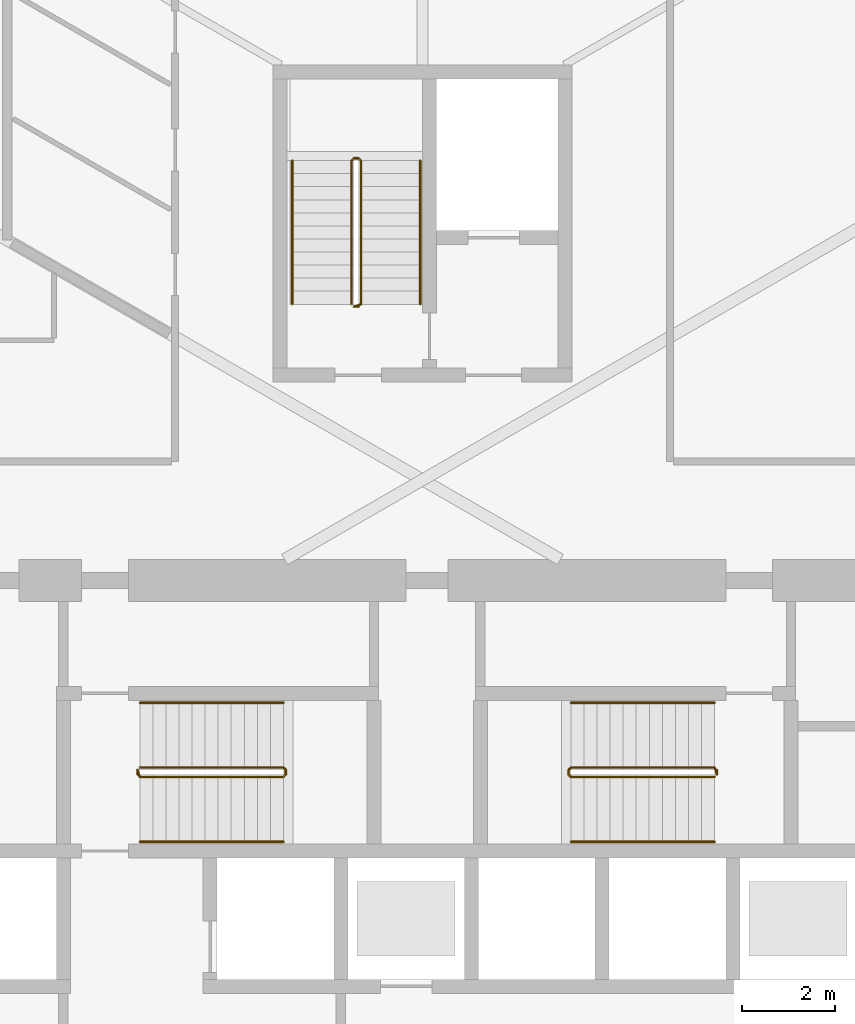
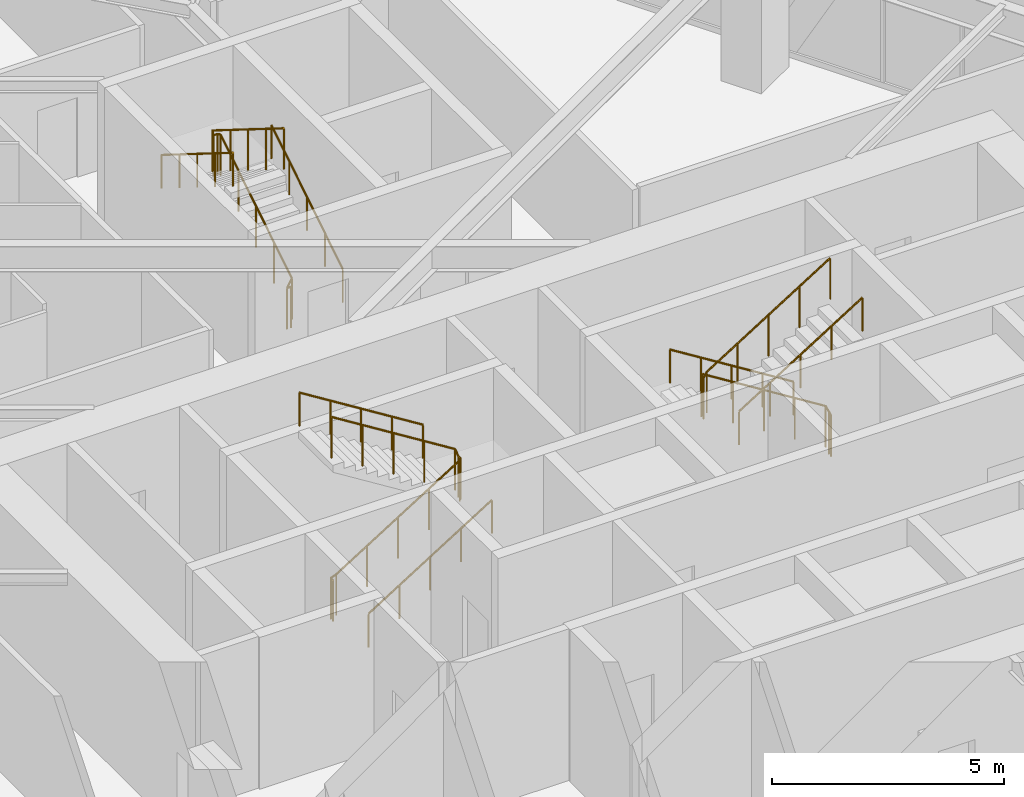
# One storey, part 18 of 19: 9 railings.
"""IFC4 building model written with IfcOpenShell, lengths in metres."""

from ifc_helpers import new_model, si_unit, direction, frame, origin, origin_2d, place, context, subcontext, project, spatial, circle, extrude, material, type_object, element, save


model = new_model("IFC4")

# Units and contexts
model_context = context("Model", 3, precision=1e-05, world=origin(), true_north=direction((0.0, 1.0)))
body_context = subcontext(model_context, "Body", "Model", "MODEL_VIEW")
ifc_project = project(units=[si_unit("LENGTHUNIT", "METRE"), si_unit("AREAUNIT", "SQUARE_METRE"), si_unit("VOLUMEUNIT", "CUBIC_METRE"), si_unit("PLANEANGLEUNIT", "RADIAN"), si_unit("MASSUNIT", "GRAM", prefix="KILO")], contexts=[model_context])

# Site, building, storey
site_placement = place(None, origin())
site = spatial("IfcSite", under=ifc_project, at=site_placement, CompositionType="ELEMENT")
building_placement = place(site_placement, origin())
building = spatial("IfcBuilding", under=site, at=building_placement, Name="Firuza Gate Tower and Library", CompositionType="ELEMENT")
storey_placement = place(building_placement, frame((0.0, 0.0, 124.0)))
storey = spatial("IfcBuildingStorey", under=building, at=storey_placement, Name="L28", CompositionType="ELEMENT", Elevation=124.0)

# Railings
ifc_material_1 = material(Name="Steel S355", Category="steel")
railing_type_1 = type_object("IfcRailingType", Name="Stair guard 1100", PredefinedType="GUARDRAIL", material=ifc_material_1)
railing_1_placement = place(storey_placement, frame((68.889892578125, 79.389892578125, 0.0)))
element("IfcRailing", 1, at=railing_1_placement, inside=storey, type_object=railing_type_1, Name="L28 ST1 stair guard 1", PredefinedType="GUARDRAIL", context=body_context, shape_type="SweptSolid", body=[
    extrude(circle(Radius=0.02392578125, at=origin_2d()), frame((0.0, 0.0, 1.076171875), z_axis=(0.0, 1.0, 0.0), x_axis=(-1.0, 0.0, 0.0)), (0.0, 0.0, 1.0), 0.10009765625),
    extrude(circle(Radius=0.02392578125, at=origin_2d()), frame((0.0, 0.10009765625, 1.076171875), z_axis=(0.21222055169, -0.635626432867, 0.742254319813), x_axis=(0.948528701346, 0.316691178788, 0.0)), (0.0, 0.0, 1.0), 0.23583984375),
    extrude(circle(Radius=0.02392578125, at=origin_2d()), frame((0.050048828125, -0.0498046875, 1.2509765625), z_axis=(0.847998304005, 0.0, 0.529998940003), x_axis=(0.0, 1.0, 0.0)), (0.0, 0.0, 1.0), 3.632080078125),
    extrude(circle(Radius=0.02392578125, at=origin_2d()), frame((3.130126953125, -0.0498046875, 3.17626953125), z_axis=(0.708833529934, 0.705375805398, 0.0), x_axis=(-0.705375805398, 0.708833529934, 0.0)), (0.0, 0.0, 1.0), 0.070556640625),
    extrude(circle(Radius=0.02392578125, at=origin_2d()), frame((3.18017578125, 0.0, 3.17626953125), z_axis=(0.0, 1.0, 0.0), x_axis=(-1.0, 0.0, 0.0)), (0.0, 0.0, 1.0), 0.10009765625),
    extrude(circle(Radius=0.02392578125, at=origin_2d()), frame((3.18017578125, 0.10009765625, 3.17626953125), z_axis=(-0.265383341853, 0.265383341853, 0.926899867156), x_axis=(-0.707106781187, -0.707106781187, 0.0)), (0.0, 0.0, 1.0), 0.1884765625),
    extrude(circle(Radius=0.02392578125, at=origin_2d()), frame((3.130126953125, 0.150146484375, 3.35107421875), z_axis=(-0.847998304005, 0.0, 0.529998940003), x_axis=(0.0, -1.0, 0.0)), (0.0, 0.0, 1.0), 3.632080078125),
    extrude(circle(Radius=0.02099609375, at=origin_2d()), origin(), (0.0, 0.0, 1.0), 1.052001953125),
    extrude(circle(Radius=0.02099609375, at=origin_2d()), frame((0.0, 0.10009765625, 0.0)), (0.0, 0.0, 1.0), 1.052001953125),
    extrude(circle(Radius=0.02099609375, at=origin_2d()), frame((0.050048828125, -0.0498046875, 0.175048828125)), (0.0, 0.0, 1.0), 1.052001953125),
    extrude(circle(Radius=0.02099609375, at=origin_2d()), frame((0.820068359375, -0.0498046875, 0.65625)), (0.0, 0.0, 1.0), 1.052001953125),
    extrude(circle(Radius=0.02099609375, at=origin_2d()), frame((1.590087890625, -0.0498046875, 1.1376953125)), (0.0, 0.0, 1.0), 1.052001953125),
    extrude(circle(Radius=0.02099609375, at=origin_2d()), frame((2.360107421875, -0.0498046875, 1.618896484375)), (0.0, 0.0, 1.0), 1.052001953125),
    extrude(circle(Radius=0.02099609375, at=origin_2d()), frame((3.130126953125, -0.0498046875, 2.10009765625)), (0.0, 0.0, 1.0), 1.052001953125),
    extrude(circle(Radius=0.02099609375, at=origin_2d()), frame((3.18017578125, 0.0, 2.10009765625)), (0.0, 0.0, 1.0), 1.052001953125),
    extrude(circle(Radius=0.02099609375, at=origin_2d()), frame((3.18017578125, 0.10009765625, 2.10009765625)), (0.0, 0.0, 1.0), 1.052001953125),
    extrude(circle(Radius=0.02099609375, at=origin_2d()), frame((3.130126953125, 0.150146484375, 2.27490234375)), (0.0, 0.0, 1.0), 1.052001953125),
    extrude(circle(Radius=0.02099609375, at=origin_2d()), frame((2.360107421875, 0.150146484375, 2.756103515625)), (0.0, 0.0, 1.0), 1.052001953125),
    extrude(circle(Radius=0.02099609375, at=origin_2d()), frame((1.590087890625, 0.150146484375, 3.2373046875)), (0.0, 0.0, 1.0), 1.052001953125),
    extrude(circle(Radius=0.02099609375, at=origin_2d()), frame((0.820068359375, 0.150146484375, 3.71875)), (0.0, 0.0, 1.0), 1.052001953125),
    extrude(circle(Radius=0.02099609375, at=origin_2d()), frame((0.050048828125, 0.150146484375, 4.199951171875)), (0.0, 0.0, 1.0), 1.052001953125),
])
railing_2_placement = place(storey_placement, frame((81.31005859375, 79.489990234375, 0.0)))
element("IfcRailing", 2, at=railing_2_placement, inside=storey, type_object=railing_type_1, Name="L28 ST2 stair guard 1", PredefinedType="GUARDRAIL", context=body_context, shape_type="SweptSolid", body=[
    extrude(circle(Radius=0.02392578125, at=origin_2d()), frame((0.0, 0.0, 1.076171875), z_axis=(0.0, -1.0, 0.0), x_axis=(1.0, 0.0, 0.0)), (0.0, 0.0, 1.0), 0.10009765625),
    extrude(circle(Radius=0.02392578125, at=origin_2d()), frame((0.0, -0.10009765625, 1.076171875), z_axis=(-0.212080931658, 0.636242794973, 0.741765990237), x_axis=(-0.948683298051, -0.316227766017, 0.0)), (0.0, 0.0, 1.0), 0.236083984375),
    extrude(circle(Radius=0.02392578125, at=origin_2d()), frame((-0.050048828125, 0.050048828125, 1.2509765625), z_axis=(-0.847998304005, 0.0, 0.529998940003), x_axis=(0.0, -1.0, 0.0)), (0.0, 0.0, 1.0), 3.632080078125),
    extrude(circle(Radius=0.02392578125, at=origin_2d()), frame((-3.130126953125, 0.050048828125, 3.17626953125), z_axis=(-0.707106781187, -0.707106781187, 0.0), x_axis=(0.707106781187, -0.707106781187, 0.0)), (0.0, 0.0, 1.0), 0.07080078125),
    extrude(circle(Radius=0.02392578125, at=origin_2d()), frame((-3.18017578125, 0.0, 3.17626953125), z_axis=(0.0, -1.0, 0.0), x_axis=(1.0, 0.0, 0.0)), (0.0, 0.0, 1.0), 0.10009765625),
    extrude(circle(Radius=0.02392578125, at=origin_2d()), frame((-3.18017578125, -0.10009765625, 3.17626953125), z_axis=(0.265474339444, -0.264179342666, 0.927217692888), x_axis=(0.705375805398, 0.708833529934, 0.0)), (0.0, 0.0, 1.0), 0.1884765625),
    extrude(circle(Radius=0.02392578125, at=origin_2d()), frame((-3.130126953125, -0.14990234375, 3.35107421875), z_axis=(0.847998304005, 0.0, 0.529998940003), x_axis=(0.0, 1.0, 0.0)), (0.0, 0.0, 1.0), 3.632080078125),
    extrude(circle(Radius=0.02099609375, at=origin_2d()), origin(), (0.0, 0.0, 1.0), 1.052001953125),
    extrude(circle(Radius=0.02099609375, at=origin_2d()), frame((0.0, -0.10009765625, 0.0)), (0.0, 0.0, 1.0), 1.052001953125),
    extrude(circle(Radius=0.02099609375, at=origin_2d()), frame((-0.050048828125, 0.050048828125, 0.175048828125)), (0.0, 0.0, 1.0), 1.052001953125),
    extrude(circle(Radius=0.02099609375, at=origin_2d()), frame((-0.820068359375, 0.050048828125, 0.65625)), (0.0, 0.0, 1.0), 1.052001953125),
    extrude(circle(Radius=0.02099609375, at=origin_2d()), frame((-1.590087890625, 0.050048828125, 1.1376953125)), (0.0, 0.0, 1.0), 1.052001953125),
    extrude(circle(Radius=0.02099609375, at=origin_2d()), frame((-2.360107421875, 0.050048828125, 1.618896484375)), (0.0, 0.0, 1.0), 1.052001953125),
    extrude(circle(Radius=0.02099609375, at=origin_2d()), frame((-3.130126953125, 0.050048828125, 2.10009765625)), (0.0, 0.0, 1.0), 1.052001953125),
    extrude(circle(Radius=0.02099609375, at=origin_2d()), frame((-3.18017578125, 0.0, 2.10009765625)), (0.0, 0.0, 1.0), 1.052001953125),
    extrude(circle(Radius=0.02099609375, at=origin_2d()), frame((-3.18017578125, -0.10009765625, 2.10009765625)), (0.0, 0.0, 1.0), 1.052001953125),
    extrude(circle(Radius=0.02099609375, at=origin_2d()), frame((-3.130126953125, -0.14990234375, 2.27490234375)), (0.0, 0.0, 1.0), 1.052001953125),
    extrude(circle(Radius=0.02099609375, at=origin_2d()), frame((-2.360107421875, -0.14990234375, 2.756103515625)), (0.0, 0.0, 1.0), 1.052001953125),
    extrude(circle(Radius=0.02099609375, at=origin_2d()), frame((-1.590087890625, -0.14990234375, 3.2373046875)), (0.0, 0.0, 1.0), 1.052001953125),
    extrude(circle(Radius=0.02099609375, at=origin_2d()), frame((-0.820068359375, -0.14990234375, 3.71875)), (0.0, 0.0, 1.0), 1.052001953125),
    extrude(circle(Radius=0.02099609375, at=origin_2d()), frame((-0.050048828125, -0.14990234375, 4.199951171875)), (0.0, 0.0, 1.0), 1.052001953125),
])
railing_3_placement = place(storey_placement, frame((73.6298828125, 89.419921875, 0.0)))
element("IfcRailing", 3, at=railing_3_placement, inside=storey, type_object=railing_type_1, Name="L28 ST3 stair guard 1", PredefinedType="GUARDRAIL", context=body_context, shape_type="SweptSolid", body=[
    extrude(circle(Radius=0.02392578125, at=origin_2d()), frame((0.0, 0.0, 1.076171875), z_axis=(-1.0, 0.0, 0.0), x_axis=(0.0, -1.0, 0.0)), (0.0, 0.0, 1.0), 0.099853515625),
    extrude(circle(Radius=0.02392578125, at=origin_2d()), frame((-0.099853515625, 0.0, 1.076171875), z_axis=(0.635626432867, 0.21222055169, 0.742254319813), x_axis=(-0.316691178788, 0.948528701346, 0.0)), (0.0, 0.0, 1.0), 0.23583984375),
    extrude(circle(Radius=0.02392578125, at=origin_2d()), frame((0.050048828125, 0.050048828125, 1.2509765625), z_axis=(0.0, 0.847998304005, 0.529998940003), x_axis=(-1.0, 0.0, 0.0)), (0.0, 0.0, 1.0), 3.632080078125),
    extrude(circle(Radius=0.02392578125, at=origin_2d()), frame((0.050048828125, 3.130126953125, 3.17626953125), z_axis=(-0.707106781187, 0.707106781187, 0.0), x_axis=(-0.707106781187, -0.707106781187, 0.0)), (0.0, 0.0, 1.0), 0.07080078125),
    extrude(circle(Radius=0.02392578125, at=origin_2d()), frame((0.0, 3.18017578125, 3.17626953125), z_axis=(-1.0, 0.0, 0.0), x_axis=(0.0, -1.0, 0.0)), (0.0, 0.0, 1.0), 0.099853515625),
    extrude(circle(Radius=0.02392578125, at=origin_2d()), frame((-0.099853515625, 3.18017578125, 3.17626953125), z_axis=(-0.265383341853, -0.265383341853, 0.926899867156), x_axis=(0.707106781187, -0.707106781187, 0.0)), (0.0, 0.0, 1.0), 0.1884765625),
    extrude(circle(Radius=0.02392578125, at=origin_2d()), frame((-0.14990234375, 3.130126953125, 3.35107421875), z_axis=(0.0, -0.847998304005, 0.529998940003), x_axis=(1.0, 0.0, 0.0)), (0.0, 0.0, 1.0), 3.632080078125),
    extrude(circle(Radius=0.02099609375, at=origin_2d()), origin(), (0.0, 0.0, 1.0), 1.052001953125),
    extrude(circle(Radius=0.02099609375, at=origin_2d()), frame((-0.099853515625, 0.0, 0.0)), (0.0, 0.0, 1.0), 1.052001953125),
    extrude(circle(Radius=0.02099609375, at=origin_2d()), frame((0.050048828125, 0.050048828125, 0.175048828125)), (0.0, 0.0, 1.0), 1.052001953125),
    extrude(circle(Radius=0.02099609375, at=origin_2d()), frame((0.050048828125, 0.820068359375, 0.65625)), (0.0, 0.0, 1.0), 1.052001953125),
    extrude(circle(Radius=0.02099609375, at=origin_2d()), frame((0.050048828125, 1.590087890625, 1.1376953125)), (0.0, 0.0, 1.0), 1.052001953125),
    extrude(circle(Radius=0.02099609375, at=origin_2d()), frame((0.050048828125, 2.360107421875, 1.618896484375)), (0.0, 0.0, 1.0), 1.052001953125),
    extrude(circle(Radius=0.02099609375, at=origin_2d()), frame((0.050048828125, 3.130126953125, 2.10009765625)), (0.0, 0.0, 1.0), 1.052001953125),
    extrude(circle(Radius=0.02099609375, at=origin_2d()), frame((0.0, 3.18017578125, 2.10009765625)), (0.0, 0.0, 1.0), 1.052001953125),
    extrude(circle(Radius=0.02099609375, at=origin_2d()), frame((-0.099853515625, 3.18017578125, 2.10009765625)), (0.0, 0.0, 1.0), 1.052001953125),
    extrude(circle(Radius=0.02099609375, at=origin_2d()), frame((-0.14990234375, 3.130126953125, 2.27490234375)), (0.0, 0.0, 1.0), 1.052001953125),
    extrude(circle(Radius=0.02099609375, at=origin_2d()), frame((-0.14990234375, 2.360107421875, 2.756103515625)), (0.0, 0.0, 1.0), 1.052001953125),
    extrude(circle(Radius=0.02099609375, at=origin_2d()), frame((-0.14990234375, 1.590087890625, 3.2373046875)), (0.0, 0.0, 1.0), 1.052001953125),
    extrude(circle(Radius=0.02099609375, at=origin_2d()), frame((-0.14990234375, 0.820068359375, 3.71875)), (0.0, 0.0, 1.0), 1.052001953125),
    extrude(circle(Radius=0.02099609375, at=origin_2d()), frame((-0.14990234375, 0.050048828125, 4.199951171875)), (0.0, 0.0, 1.0), 1.052001953125),
])
ifc_material_2 = material(Name="Steel S355", Category="steel")
railing_type_2 = type_object("IfcRailingType", Name="Stair handrail 900", PredefinedType="HANDRAIL", material=ifc_material_2)
railing_4_placement = place(storey_placement, frame((68.93994140625, 77.949951171875, 0.175048828125)))
element("IfcRailing", 4, at=railing_4_placement, inside=storey, type_object=railing_type_2, Name="L28 ST1 stair handrail 1", PredefinedType="HANDRAIL", context=body_context, shape_type="SweptSolid", body=[
    extrude(circle(Radius=0.02392578125, at=origin_2d()), frame((0.0, 0.0, 0.8759765625), z_axis=(0.847998304005, 0.0, 0.529998940003), x_axis=(0.0, 1.0, 0.0)), (0.0, 0.0, 1.0), 3.632080078125),
    extrude(circle(Radius=0.02099609375, at=origin_2d()), origin(), (0.0, 0.0, 1.0), 0.851806640625),
    extrude(circle(Radius=0.02099609375, at=origin_2d()), frame((0.77001953125, 0.0, 0.481201171875)), (0.0, 0.0, 1.0), 0.851806640625),
    extrude(circle(Radius=0.02099609375, at=origin_2d()), frame((1.5400390625, 0.0, 0.96240234375)), (0.0, 0.0, 1.0), 0.851806640625),
    extrude(circle(Radius=0.02099609375, at=origin_2d()), frame((2.31005859375, 0.0, 1.44384765625)), (0.0, 0.0, 1.0), 0.851806640625),
    extrude(circle(Radius=0.02099609375, at=origin_2d()), frame((3.080078125, 0.0, 1.925048828125)), (0.0, 0.0, 1.0), 0.851806640625),
])
for number, where, name in (
    (5, (72.02001953125, 80.929931640625, 2.27490234375), "L28 ST1 stair handrail 2"),
    (6, (81.260009765625, 80.929931640625, 0.175048828125), "L28 ST2 stair handrail 1"),
):
    element("IfcRailing", number, at=place(storey_placement, frame(where)), inside=storey, type_object=railing_type_2, Name=name, PredefinedType="HANDRAIL", context=body_context, shape_type="SweptSolid", body=[
        extrude(circle(Radius=0.02392578125, at=origin_2d()), frame((0.0, 0.0, 0.8759765625), z_axis=(-0.847998304005, 0.0, 0.529998940003), x_axis=(0.0, -1.0, 0.0)), (0.0, 0.0, 1.0), 3.632080078125),
        extrude(circle(Radius=0.02099609375, at=origin_2d()), origin(), (0.0, 0.0, 1.0), 0.851806640625),
        extrude(circle(Radius=0.02099609375, at=origin_2d()), frame((-0.77001953125, 0.0, 0.481201171875)), (0.0, 0.0, 1.0), 0.851806640625),
        extrude(circle(Radius=0.02099609375, at=origin_2d()), frame((-1.5400390625, 0.0, 0.96240234375)), (0.0, 0.0, 1.0), 0.851806640625),
        extrude(circle(Radius=0.02099609375, at=origin_2d()), frame((-2.31005859375, 0.0, 1.44384765625)), (0.0, 0.0, 1.0), 0.851806640625),
        extrude(circle(Radius=0.02099609375, at=origin_2d()), frame((-3.080078125, 0.0, 1.925048828125)), (0.0, 0.0, 1.0), 0.851806640625),
    ])
railing_5_placement = place(storey_placement, frame((78.179931640625, 77.949951171875, 2.27490234375)))
element("IfcRailing", 7, at=railing_5_placement, inside=storey, type_object=railing_type_2, Name="L28 ST2 stair handrail 2", PredefinedType="HANDRAIL", context=body_context, shape_type="SweptSolid", body=[
    extrude(circle(Radius=0.02392578125, at=origin_2d()), frame((0.0, 0.0, 0.8759765625), z_axis=(0.847998304005, 0.0, 0.529998940003), x_axis=(0.0, 1.0, 0.0)), (0.0, 0.0, 1.0), 3.632080078125),
    extrude(circle(Radius=0.02099609375, at=origin_2d()), origin(), (0.0, 0.0, 1.0), 0.851806640625),
    extrude(circle(Radius=0.02099609375, at=origin_2d()), frame((0.77001953125, 0.0, 0.481201171875)), (0.0, 0.0, 1.0), 0.851806640625),
    extrude(circle(Radius=0.02099609375, at=origin_2d()), frame((1.5400390625, 0.0, 0.96240234375)), (0.0, 0.0, 1.0), 0.851806640625),
    extrude(circle(Radius=0.02099609375, at=origin_2d()), frame((2.31005859375, 0.0, 1.44384765625)), (0.0, 0.0, 1.0), 0.851806640625),
    extrude(circle(Radius=0.02099609375, at=origin_2d()), frame((3.080078125, 0.0, 1.925048828125)), (0.0, 0.0, 1.0), 0.851806640625),
])
railing_6_placement = place(storey_placement, frame((74.949951171875, 89.469970703125, 0.175048828125)))
element("IfcRailing", 8, at=railing_6_placement, inside=storey, type_object=railing_type_2, Name="L28 ST3 stair handrail 1", PredefinedType="HANDRAIL", context=body_context, shape_type="SweptSolid", body=[
    extrude(circle(Radius=0.02392578125, at=origin_2d()), frame((0.0, 0.0, 0.8759765625), z_axis=(0.0, 0.847998304005, 0.529998940003), x_axis=(-1.0, 0.0, 0.0)), (0.0, 0.0, 1.0), 3.632080078125),
    extrude(circle(Radius=0.02099609375, at=origin_2d()), origin(), (0.0, 0.0, 1.0), 0.851806640625),
    extrude(circle(Radius=0.02099609375, at=origin_2d()), frame((0.0, 0.77001953125, 0.481201171875)), (0.0, 0.0, 1.0), 0.851806640625),
    extrude(circle(Radius=0.02099609375, at=origin_2d()), frame((0.0, 1.5400390625, 0.96240234375)), (0.0, 0.0, 1.0), 0.851806640625),
    extrude(circle(Radius=0.02099609375, at=origin_2d()), frame((0.0, 2.31005859375, 1.44384765625)), (0.0, 0.0, 1.0), 0.851806640625),
    extrude(circle(Radius=0.02099609375, at=origin_2d()), frame((0.0, 3.080078125, 1.925048828125)), (0.0, 0.0, 1.0), 0.851806640625),
])
railing_7_placement = place(storey_placement, frame((72.2099609375, 92.550048828125, 2.27490234375)))
element("IfcRailing", 9, at=railing_7_placement, inside=storey, type_object=railing_type_2, Name="L28 ST3 stair handrail 2", PredefinedType="HANDRAIL", context=body_context, shape_type="SweptSolid", body=[
    extrude(circle(Radius=0.02392578125, at=origin_2d()), frame((0.0, 0.0, 0.8759765625), z_axis=(0.0, -0.847998304005, 0.529998940003), x_axis=(1.0, 0.0, 0.0)), (0.0, 0.0, 1.0), 3.632080078125),
    extrude(circle(Radius=0.02099609375, at=origin_2d()), origin(), (0.0, 0.0, 1.0), 0.851806640625),
    extrude(circle(Radius=0.02099609375, at=origin_2d()), frame((0.0, -0.77001953125, 0.481201171875)), (0.0, 0.0, 1.0), 0.851806640625),
    extrude(circle(Radius=0.02099609375, at=origin_2d()), frame((0.0, -1.5400390625, 0.96240234375)), (0.0, 0.0, 1.0), 0.851806640625),
    extrude(circle(Radius=0.02099609375, at=origin_2d()), frame((0.0, -2.31005859375, 1.44384765625)), (0.0, 0.0, 1.0), 0.851806640625),
    extrude(circle(Radius=0.02099609375, at=origin_2d()), frame((0.0, -3.080078125, 1.925048828125)), (0.0, 0.0, 1.0), 0.851806640625),
])

save(model, "model.ifc")
